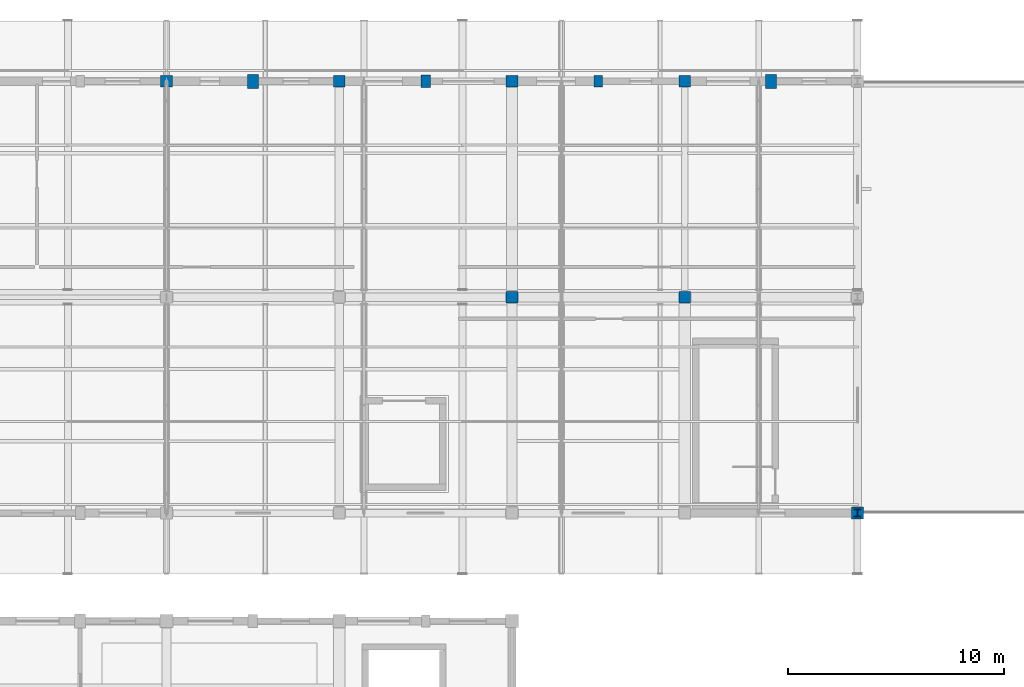
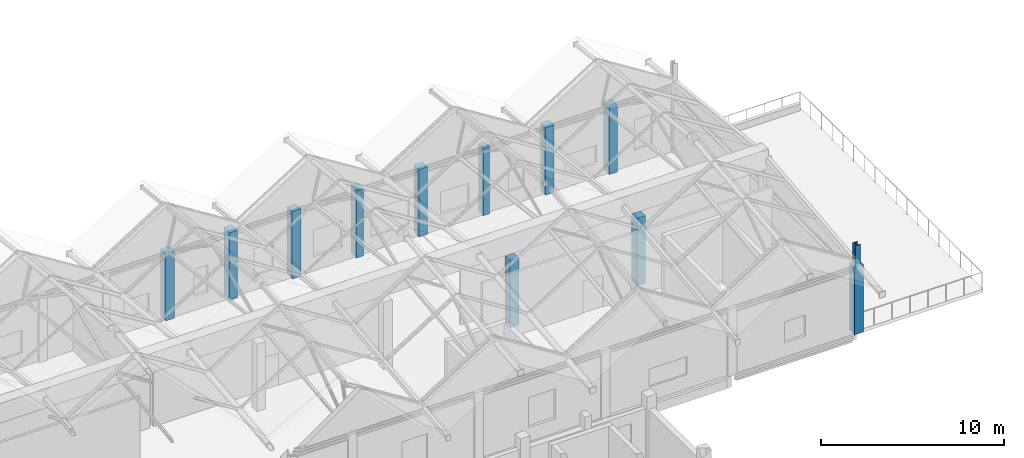
# One storey, part 6 of 183: 12 columns.
"""IFC4 building model written with IfcOpenShell, lengths in metres."""

from ifc_helpers import new_model, si_unit, direction, frame, origin, origin_2d, place, context, subcontext, project, spatial, rectangle, i_section, extrude, material, material_profile, profile_set, type_object, element, save


model = new_model("IFC4")

# Units and contexts
model_context = context("Model", 3, precision=1e-05, world=origin(), true_north=direction((0.0, 1.0)))
body_context = subcontext(model_context, "Body", "Model", "MODEL_VIEW")
ifc_project = project(units=[si_unit("LENGTHUNIT", "METRE"), si_unit("AREAUNIT", "SQUARE_METRE"), si_unit("VOLUMEUNIT", "CUBIC_METRE"), si_unit("PLANEANGLEUNIT", "RADIAN"), si_unit("MASSUNIT", "GRAM", prefix="KILO")], contexts=[model_context])

# Site, building, storey
site_placement = place(None, origin())
site = spatial("IfcSite", under=ifc_project, at=site_placement, CompositionType="ELEMENT")
building_placement = place(site_placement, origin())
building = spatial("IfcBuilding", under=site, at=building_placement, Name="Luwemba Playhouse", CompositionType="ELEMENT")
storey_placement = place(building_placement, frame((0.0, 0.0, 4.800048828125)))
storey = spatial("IfcBuildingStorey", under=building, at=storey_placement, Name="L01", CompositionType="ELEMENT", Elevation=4.800048828125)

# Columns
ifc_material_1 = material(Name="Concrete C40/50", Category="concrete")
ifc_material_profile_1 = material_profile(ifc_material_1, rectangle(XDim=0.550048828125, YDim=0.550048828125, at=origin_2d()))
ifc_profile_set_1 = profile_set([ifc_material_profile_1], Name="Concrete C40/50")
column_type_1 = type_object("IfcColumnType", Name="COL-C03", PredefinedType="COLUMN", material=ifc_profile_set_1)
for number, where, z_axis, x_axis, name in (
    (1, (36.0, 115.0, 0.0), (0.0, 0.0, 1.0), (1.0, 0.0, 0.0), "L01 column 086"),
    (2, (44.0, 115.0, 0.0), (0.0, 0.0, 1.0), (1.0, 0.0, 0.0), "L01 column 106"),
    (3, (52.0, 105.0, 0.0), (0.0, 0.0, 1.0), (1.0, 0.0, 0.0), "L01 column 125"),
    (4, (52.0, 115.0, 0.0), (0.0, 0.0, 1.0), (1.0, 0.0, 0.0), "L01 column 126"),
    (5, (60.0, 105.0, 0.0), (0.0, 0.0, 1.0), (1.0, 0.0, 0.0), "L01 column 135"),
    (6, (60.0, 115.0, 0.0), (0.0, 0.0, 1.0), (1.0, 0.0, 0.0), "L01 column 136"),
    (7, (68.0, 95.0, 0.0), (0.0, 0.0, 1.0), (1.0, 0.0, 0.0), "L01 column 138"),
):
    element("IfcColumn", number, at=place(storey_placement, frame(where, z_axis=z_axis, x_axis=x_axis)), inside=storey, type_object=column_type_1, Name=name, PredefinedType="COLUMN", context=body_context, shape_type="SweptSolid", body=[
        extrude(rectangle(XDim=0.550048828125, YDim=0.550048828125, at=origin_2d()), origin(), (0.0, 0.0, 1.0), 4.5),
    ])
ifc_material_profile_2 = material_profile(ifc_material_1, rectangle(XDim=0.39990234375, YDim=0.550048828125, at=origin_2d()))
ifc_profile_set_2 = profile_set([ifc_material_profile_2], Name="Concrete C40/50")
column_type_2 = type_object("IfcColumnType", Name="COL-PIL1", PredefinedType="PILASTER", material=ifc_profile_set_2)
column_1_placement = place(storey_placement, frame((56.0, 115.0, 0.0), z_axis=(0.0, 0.0, 1.0), x_axis=(1.0, 0.0, 0.0)))
element("IfcColumn", 8, at=column_1_placement, inside=storey, type_object=column_type_2, Name="L01 column 129", PredefinedType="PILASTER", context=body_context, shape_type="SweptSolid", body=[
    extrude(rectangle(XDim=0.39990234375, YDim=0.550048828125, at=origin_2d()), origin(), (0.0, 0.0, 1.0), 4.5),
])
ifc_material_profile_3 = material_profile(ifc_material_1, rectangle(XDim=0.449951171875, YDim=0.60009765625, at=origin_2d()))
ifc_profile_set_3 = profile_set([ifc_material_profile_3], Name="Concrete C40/50")
column_type_3 = type_object("IfcColumnType", Name="COL-PIL2", PredefinedType="PILASTER", material=ifc_profile_set_3)
column_2_placement = place(storey_placement, frame((48.0, 115.0, 0.0), z_axis=(0.0, 0.0, 1.0), x_axis=(1.0, 0.0, 0.0)))
element("IfcColumn", 9, at=column_2_placement, inside=storey, type_object=column_type_3, Name="L01 column 111", PredefinedType="PILASTER", context=body_context, shape_type="SweptSolid", body=[
    extrude(rectangle(XDim=0.449951171875, YDim=0.60009765625, at=origin_2d()), origin(), (0.0, 0.0, 1.0), 4.5),
])
ifc_material_profile_4 = material_profile(ifc_material_1, rectangle(XDim=0.5, YDim=0.64990234375, at=origin_2d()))
ifc_profile_set_4 = profile_set([ifc_material_profile_4], Name="Concrete C40/50")
column_type_4 = type_object("IfcColumnType", Name="COL-PIL3", PredefinedType="PILASTER", material=ifc_profile_set_4)
for number, where, z_axis, x_axis, name in (
    (10, (40.0, 115.0, 0.0), (0.0, 0.0, 1.0), (1.0, 0.0, 0.0), "L01 column 091"),
    (11, (64.0, 115.0, 0.0), (0.0, 0.0, 1.0), (1.0, 0.0, 0.0), "L01 column 137"),
):
    element("IfcColumn", number, at=place(storey_placement, frame(where, z_axis=z_axis, x_axis=x_axis)), inside=storey, type_object=column_type_4, Name=name, PredefinedType="PILASTER", context=body_context, shape_type="SweptSolid", body=[
        extrude(rectangle(XDim=0.5, YDim=0.64990234375, at=origin_2d()), origin(), (0.0, 0.0, 1.0), 4.5),
    ])
ifc_material_2 = material(Name="Steel S355", Category="steel")
ifc_material_profile_5 = material_profile(ifc_material_2, i_section(OverallWidth=0.300048828125, OverallDepth=0.340087890625, WebThickness=0.011962890625, FlangeThickness=0.021484375, FilletRadius=0.027099609375, at=origin_2d()))
ifc_profile_set_5 = profile_set([ifc_material_profile_5], Name="Steel S355")
column_type_5 = type_object("IfcColumnType", Name="COL-SC2", PredefinedType="COLUMN", material=ifc_profile_set_5)
column_3_placement = place(storey_placement, frame((68.0, 95.0, 4.5), z_axis=(0.0, 0.0, 1.0), x_axis=(1.0, 0.0, 0.0)))
element("IfcColumn", 12, at=column_3_placement, inside=storey, type_object=column_type_5, Name="RF-V6W south corner apex stub", PredefinedType="COLUMN", context=body_context, shape_type="SweptSolid", body=[
    extrude(i_section(OverallWidth=0.300048828125, OverallDepth=0.340087890625, WebThickness=0.011962890625, FlangeThickness=0.021484375, FilletRadius=0.027099609375, at=origin_2d()), origin(), (0.0, 0.0, 1.0), 1.341552734375),
])

save(model, "model.ifc")
